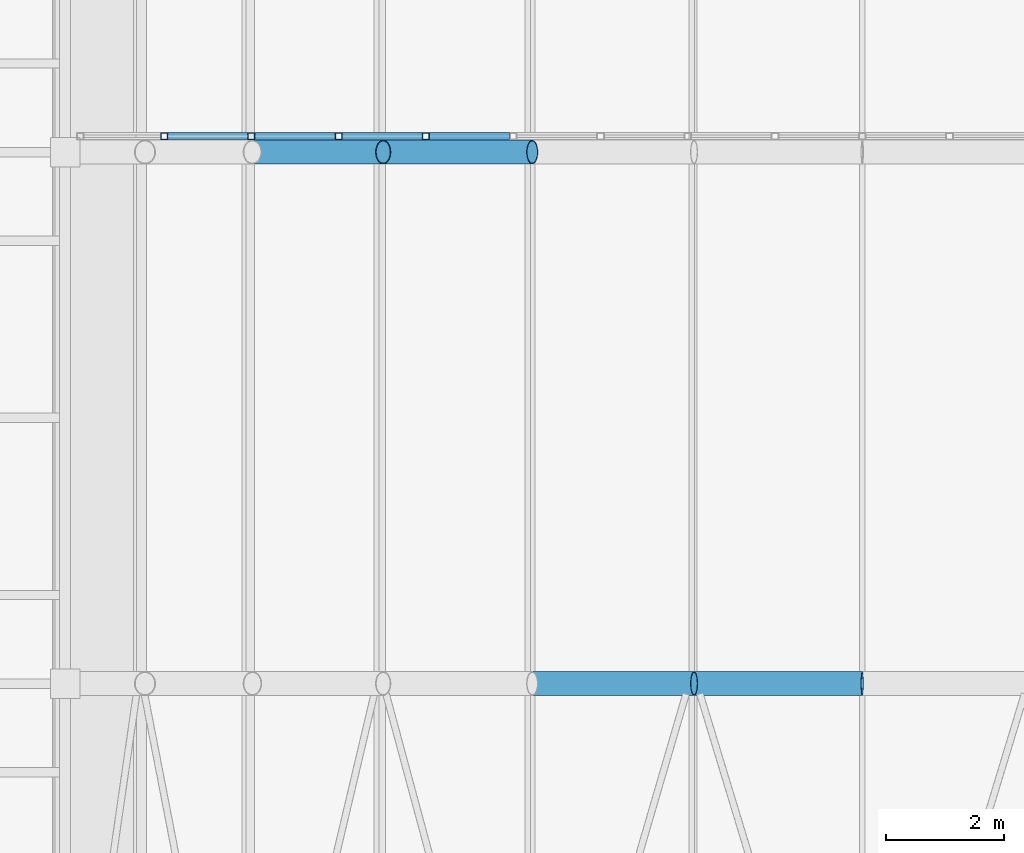
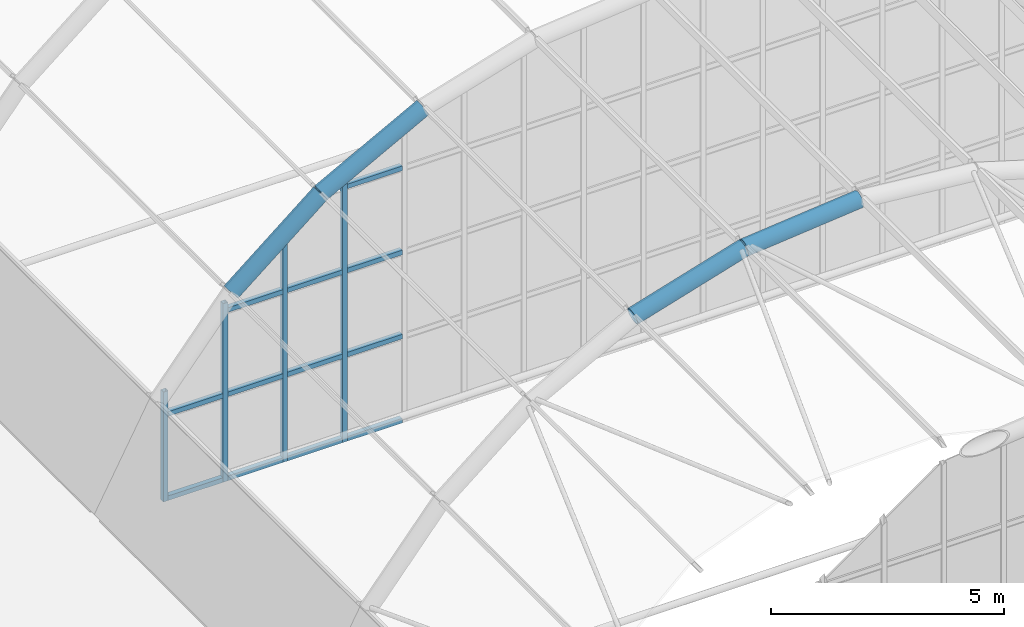
# One storey, part 24 of 121: 20 members, 1 element without a shape of its own.
"""IFC4 building model written with IfcOpenShell, lengths in metres."""

from ifc_helpers import new_model, si_unit, direction, frame, origin, origin_2d, place, context, subcontext, project, spatial, hollow_rectangle, hollow_circle, extrude, material, material_profile, profile_set, type_object, element, aggregate, save


model = new_model("IFC4")

# Units and contexts
model_context = context("Model", 3, precision=1e-05, world=origin(), true_north=direction((0.0, 1.0)))
body_context = subcontext(model_context, "Body", "Model", "MODEL_VIEW")
ifc_project = project(units=[si_unit("LENGTHUNIT", "METRE"), si_unit("AREAUNIT", "SQUARE_METRE"), si_unit("VOLUMEUNIT", "CUBIC_METRE"), si_unit("PLANEANGLEUNIT", "RADIAN"), si_unit("MASSUNIT", "GRAM", prefix="KILO")], contexts=[model_context])

# Site, building, storey
site_placement = place(None, origin())
site = spatial("IfcSite", under=ifc_project, at=site_placement, CompositionType="ELEMENT")
building_placement = place(site_placement, origin())
building = spatial("IfcBuilding", under=site, at=building_placement, Name="Golden Quay Civic Hall", CompositionType="ELEMENT")
storey_placement = place(building_placement, frame((0.0, 0.0, 18.60009765625)))
storey = spatial("IfcBuildingStorey", under=building, at=storey_placement, Name="L04", CompositionType="ELEMENT", Elevation=18.60009765625)

# Curtain wall, members
ifc_material_1 = material(Name="Fire-resisting glass and steel", Category="steel")
curtain_wall_type = type_object("IfcCurtainWallType", Name="Fire-resisting glazed curtain wall EI 120", PredefinedType="NOTDEFINED", material=ifc_material_1)
curtain_wall_placement = place(storey_placement, origin())
curtain_wall = element("IfcCurtainWall", 1, at=curtain_wall_placement, inside=storey, type_object=curtain_wall_type, Name="Curtain wall tympanum fire1", PredefinedType="NOTDEFINED")
ifc_material_2 = material(Name="Steel S355", Category="steel")
ifc_material_profile_1 = material_profile(ifc_material_2, hollow_rectangle(XDim=0.1201171875, YDim=0.1201171875, WallThickness=0.008056640625, at=origin_2d()), Name="SHS 120x120x8")
ifc_profile_set_1 = profile_set([ifc_material_profile_1], Name="Steel S355")
member_type_1 = type_object("IfcMemberType", Name="Fire-resisting steel mullion SHS 120x120x8", PredefinedType="MULLION", material=ifc_profile_set_1)
member_1_placement = place(storey_placement, frame((73.677734375, 18.27001953125, -0.25), z_axis=(0.0, 0.0, 1.0), x_axis=(0.0, 1.0, 0.0)))
member_1 = element("IfcMember", 2, at=member_1_placement, type_object=member_type_1, Name="Tympanum mullion 2", PredefinedType="MULLION", context=body_context, shape_type="SweptSolid", body=[
    extrude(hollow_rectangle(XDim=0.1201171875, YDim=0.1201171875, WallThickness=0.008056640625, at=origin_2d()), origin(), (0.0, 0.0, 1.0), 2.8720703125),
])
member_2_placement = place(storey_placement, frame((75.155517578125, 18.27001953125, -0.25), z_axis=(0.0, 0.0, 1.0), x_axis=(0.0, 1.0, 0.0)))
member_2 = element("IfcMember", 3, at=member_2_placement, type_object=member_type_1, Name="Tympanum mullion 3", PredefinedType="MULLION", context=body_context, shape_type="SweptSolid", body=[
    extrude(hollow_rectangle(XDim=0.1201171875, YDim=0.1201171875, WallThickness=0.008056640625, at=origin_2d()), origin(), (0.0, 0.0, 1.0), 4.6669921875),
])
member_3_placement = place(storey_placement, frame((76.63330078125, 18.27001953125, -0.25), z_axis=(0.0, 0.0, 1.0), x_axis=(0.0, 1.0, 0.0)))
member_3 = element("IfcMember", 4, at=member_3_placement, type_object=member_type_1, Name="Tympanum mullion 4", PredefinedType="MULLION", context=body_context, shape_type="SweptSolid", body=[
    extrude(hollow_rectangle(XDim=0.1201171875, YDim=0.1201171875, WallThickness=0.008056640625, at=origin_2d()), origin(), (0.0, 0.0, 1.0), 5.964599609375),
])
member_4_placement = place(storey_placement, frame((78.111083984375, 18.27001953125, -0.25), z_axis=(0.0, 0.0, 1.0), x_axis=(0.0, 1.0, 0.0)))
member_4 = element("IfcMember", 5, at=member_4_placement, type_object=member_type_1, Name="Tympanum mullion 5", PredefinedType="MULLION", context=body_context, shape_type="SweptSolid", body=[
    extrude(hollow_rectangle(XDim=0.1201171875, YDim=0.1201171875, WallThickness=0.008056640625, at=origin_2d()), origin(), (0.0, 0.0, 1.0), 7.017333984375),
])
ifc_material_3 = material(Name="Steel S355", Category="steel")
ifc_material_profile_2 = material_profile(ifc_material_3, hollow_rectangle(XDim=0.1201171875, YDim=0.1201171875, WallThickness=0.008056640625, at=origin_2d()), Name="SHS 120x120x8")
ifc_profile_set_2 = profile_set([ifc_material_profile_2], Name="Steel S355")
member_type_2 = type_object("IfcMemberType", Name="Fire-resisting steel transom SHS 120x120x8", PredefinedType="USERDEFINED", material=ifc_profile_set_2)
member_5_placement = place(storey_placement, frame((73.73779296875, 18.27001953125, -0.190185546875), z_axis=(1.0, 0.0, 0.0), x_axis=(0.0, 1.0, 0.0)))
member_5 = element("IfcMember", 6, at=member_5_placement, type_object=member_type_2, Name="Tympanum transom 2.1", ObjectType="TRANSOM", PredefinedType="USERDEFINED", context=body_context, shape_type="SweptSolid", body=[
    extrude(hollow_rectangle(XDim=0.1201171875, YDim=0.1201171875, WallThickness=0.008056640625, at=origin_2d()), origin(), (0.0, 0.0, 1.0), 1.357666015625),
])
member_6_placement = place(storey_placement, frame((73.73779296875, 18.27001953125, 2.010009765625), z_axis=(1.0, 0.0, 0.0), x_axis=(0.0, 1.0, 0.0)))
member_6 = element("IfcMember", 7, at=member_6_placement, type_object=member_type_2, Name="Tympanum transom 2.2", ObjectType="TRANSOM", PredefinedType="USERDEFINED", context=body_context, shape_type="SweptSolid", body=[
    extrude(hollow_rectangle(XDim=0.1201171875, YDim=0.1201171875, WallThickness=0.008056640625, at=origin_2d()), origin(), (0.0, 0.0, 1.0), 1.357666015625),
])
member_7_placement = place(storey_placement, frame((75.215576171875, 18.27001953125, -0.190185546875), z_axis=(1.0, 0.0, 0.0), x_axis=(0.0, 1.0, 0.0)))
member_7 = element("IfcMember", 8, at=member_7_placement, type_object=member_type_2, Name="Tympanum transom 3.1", ObjectType="TRANSOM", PredefinedType="USERDEFINED", context=body_context, shape_type="SweptSolid", body=[
    extrude(hollow_rectangle(XDim=0.1201171875, YDim=0.1201171875, WallThickness=0.008056640625, at=origin_2d()), origin(), (0.0, 0.0, 1.0), 1.357666015625),
])
member_8_placement = place(storey_placement, frame((75.215576171875, 18.27001953125, 2.010009765625), z_axis=(1.0, 0.0, 0.0), x_axis=(0.0, 1.0, 0.0)))
member_8 = element("IfcMember", 9, at=member_8_placement, type_object=member_type_2, Name="Tympanum transom 3.2", ObjectType="TRANSOM", PredefinedType="USERDEFINED", context=body_context, shape_type="SweptSolid", body=[
    extrude(hollow_rectangle(XDim=0.1201171875, YDim=0.1201171875, WallThickness=0.008056640625, at=origin_2d()), origin(), (0.0, 0.0, 1.0), 1.357666015625),
])
member_9_placement = place(storey_placement, frame((75.215576171875, 18.27001953125, 4.2099609375), z_axis=(1.0, 0.0, 0.0), x_axis=(0.0, 1.0, 0.0)))
member_9 = element("IfcMember", 10, at=member_9_placement, type_object=member_type_2, Name="Tympanum transom 3.3", ObjectType="TRANSOM", PredefinedType="USERDEFINED", context=body_context, shape_type="SweptSolid", body=[
    extrude(hollow_rectangle(XDim=0.1201171875, YDim=0.1201171875, WallThickness=0.008056640625, at=origin_2d()), origin(), (0.0, 0.0, 1.0), 1.357666015625),
])
member_10_placement = place(storey_placement, frame((76.693359375, 18.27001953125, -0.190185546875), z_axis=(1.0, 0.0, 0.0), x_axis=(0.0, 1.0, 0.0)))
member_10 = element("IfcMember", 11, at=member_10_placement, type_object=member_type_2, Name="Tympanum transom 4.1", ObjectType="TRANSOM", PredefinedType="USERDEFINED", context=body_context, shape_type="SweptSolid", body=[
    extrude(hollow_rectangle(XDim=0.1201171875, YDim=0.1201171875, WallThickness=0.008056640625, at=origin_2d()), origin(), (0.0, 0.0, 1.0), 1.357666015625),
])
member_11_placement = place(storey_placement, frame((76.693359375, 18.27001953125, 2.010009765625), z_axis=(1.0, 0.0, 0.0), x_axis=(0.0, 1.0, 0.0)))
member_11 = element("IfcMember", 12, at=member_11_placement, type_object=member_type_2, Name="Tympanum transom 4.2", ObjectType="TRANSOM", PredefinedType="USERDEFINED", context=body_context, shape_type="SweptSolid", body=[
    extrude(hollow_rectangle(XDim=0.1201171875, YDim=0.1201171875, WallThickness=0.008056640625, at=origin_2d()), origin(), (0.0, 0.0, 1.0), 1.357666015625),
])
member_12_placement = place(storey_placement, frame((76.693359375, 18.27001953125, 4.2099609375), z_axis=(1.0, 0.0, 0.0), x_axis=(0.0, 1.0, 0.0)))
member_12 = element("IfcMember", 13, at=member_12_placement, type_object=member_type_2, Name="Tympanum transom 4.3", ObjectType="TRANSOM", PredefinedType="USERDEFINED", context=body_context, shape_type="SweptSolid", body=[
    extrude(hollow_rectangle(XDim=0.1201171875, YDim=0.1201171875, WallThickness=0.008056640625, at=origin_2d()), origin(), (0.0, 0.0, 1.0), 1.357666015625),
])
member_13_placement = place(storey_placement, frame((78.171142578125, 18.27001953125, -0.190185546875), z_axis=(1.0, 0.0, 0.0), x_axis=(0.0, 1.0, 0.0)))
member_13 = element("IfcMember", 14, at=member_13_placement, type_object=member_type_2, Name="Tympanum transom 5.1", ObjectType="TRANSOM", PredefinedType="USERDEFINED", context=body_context, shape_type="SweptSolid", body=[
    extrude(hollow_rectangle(XDim=0.1201171875, YDim=0.1201171875, WallThickness=0.008056640625, at=origin_2d()), origin(), (0.0, 0.0, 1.0), 1.357666015625),
])
member_14_placement = place(storey_placement, frame((78.171142578125, 18.27001953125, 2.010009765625), z_axis=(1.0, 0.0, 0.0), x_axis=(0.0, 1.0, 0.0)))
member_14 = element("IfcMember", 15, at=member_14_placement, type_object=member_type_2, Name="Tympanum transom 5.2", ObjectType="TRANSOM", PredefinedType="USERDEFINED", context=body_context, shape_type="SweptSolid", body=[
    extrude(hollow_rectangle(XDim=0.1201171875, YDim=0.1201171875, WallThickness=0.008056640625, at=origin_2d()), origin(), (0.0, 0.0, 1.0), 1.357666015625),
])
member_15_placement = place(storey_placement, frame((78.171142578125, 18.27001953125, 4.2099609375), z_axis=(1.0, 0.0, 0.0), x_axis=(0.0, 1.0, 0.0)))
member_15 = element("IfcMember", 16, at=member_15_placement, type_object=member_type_2, Name="Tympanum transom 5.3", ObjectType="TRANSOM", PredefinedType="USERDEFINED", context=body_context, shape_type="SweptSolid", body=[
    extrude(hollow_rectangle(XDim=0.1201171875, YDim=0.1201171875, WallThickness=0.008056640625, at=origin_2d()), origin(), (0.0, 0.0, 1.0), 1.357666015625),
])
member_16_placement = place(storey_placement, frame((78.171142578125, 18.27001953125, 6.409912109375), z_axis=(1.0, 0.0, 0.0), x_axis=(0.0, 1.0, 0.0)))
member_16 = element("IfcMember", 17, at=member_16_placement, type_object=member_type_2, Name="Tympanum transom 5.4", ObjectType="TRANSOM", PredefinedType="USERDEFINED", context=body_context, shape_type="SweptSolid", body=[
    extrude(hollow_rectangle(XDim=0.1201171875, YDim=0.1201171875, WallThickness=0.008056640625, at=origin_2d()), origin(), (0.0, 0.0, 1.0), 1.357666015625),
])
aggregate(curtain_wall, [member_1, member_2, member_3, member_4, member_5, member_6, member_7, member_8, member_9, member_10, member_11, member_12, member_13, member_14, member_15, member_16])

# Members
ifc_material_4 = material(Name="Steel S355", Category="steel")
ifc_material_profile_3 = material_profile(ifc_material_4, hollow_circle(Radius=0.203125, WallThickness=0.01611328125, at=origin_2d()), Name="CHS 406.4x16")
ifc_profile_set_3 = profile_set([ifc_material_profile_3], Name="Steel S355")
member_type_3 = type_object("IfcMemberType", Name="Steel arch rib CHS 406.4x16", PredefinedType="USERDEFINED", material=ifc_profile_set_3)
member_17_placement = place(storey_placement, frame((79.91259765625, 9.0, 7.990478515625), z_axis=(0.957095401463, 0.0, 0.289773001673), x_axis=(0.0, 1.0, 0.0)))
element("IfcMember", 18, at=member_17_placement, inside=storey, type_object=member_type_3, Name="Arch rib 2 segment 5", ObjectType="ARCH RIB", PredefinedType="USERDEFINED", context=body_context, shape_type="SweptSolid", body=[
    extrude(hollow_circle(Radius=0.203125, WallThickness=0.01611328125, at=origin_2d()), origin(), (0.0, 0.0, 1.0), 2.862060546875),
])
for number, where, z_axis, x_axis, name in (
    (19, (82.65185546875, 9.0, 8.81982421875), (0.995201360973, 0.0, 0.097848102266), (0.0, 1.0, 0.0), "Arch rib 2 segment 6"),
    (20, (75.173095703125, 18.0, 4.830810546875), (0.773786223221, 0.0, 0.633446825514), (0.0, 1.0, 0.0), "Arch rib 3 segment 3"),
    (21, (77.387451171875, 18.0, 6.6435546875), (0.882326964097, 0.0, 0.470636939082), (0.0, 1.0, 0.0), "Arch rib 3 segment 4"),
):
    element("IfcMember", number, at=place(storey_placement, frame(where, z_axis=z_axis, x_axis=x_axis)), inside=storey, type_object=member_type_3, Name=name, ObjectType="ARCH RIB", PredefinedType="USERDEFINED", context=body_context, shape_type="SweptSolid", body=[
        extrude(hollow_circle(Radius=0.203125, WallThickness=0.01611328125, at=origin_2d()), origin(), (0.0, 0.0, 1.0), 2.86181640625),
    ])

save(model, "model.ifc")
